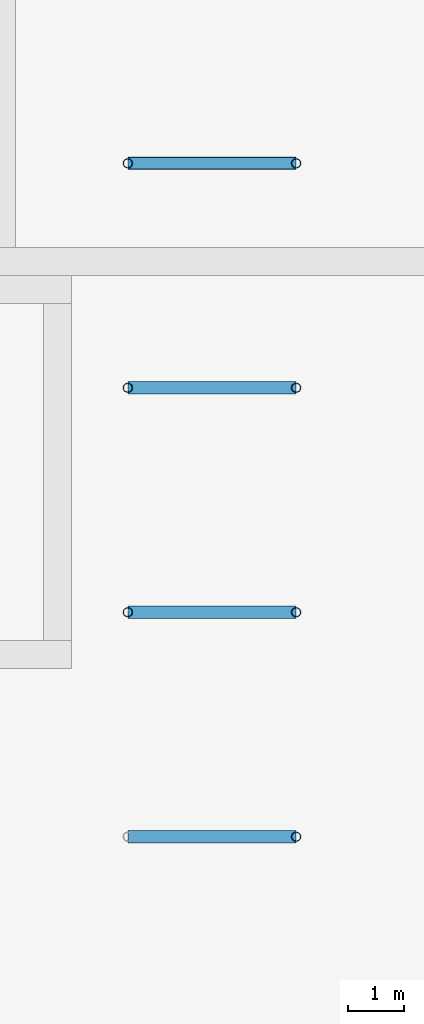
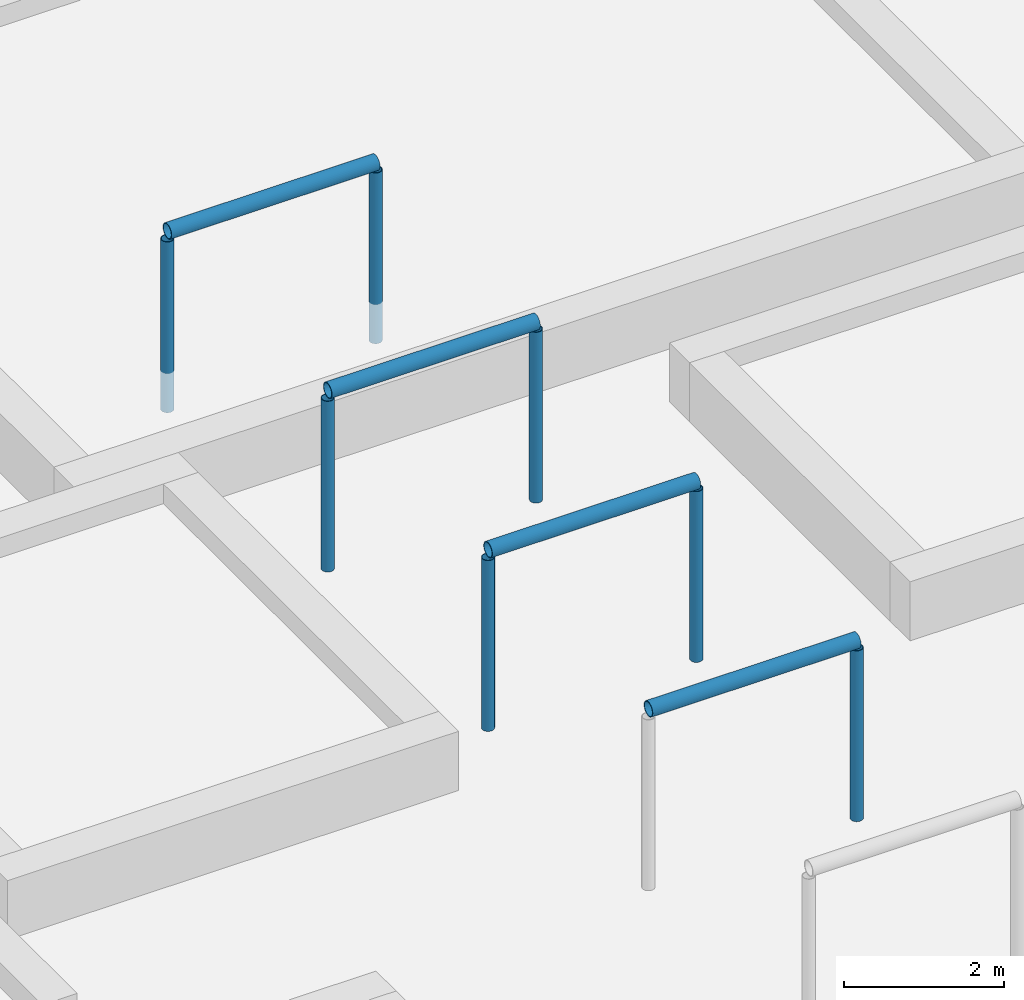
# One storey, part 9 of 34: 11 members.
"""IFC4 building model written with IfcOpenShell, lengths in metres."""

from ifc_helpers import new_model, si_unit, direction, frame, origin, origin_2d, place, context, subcontext, project, spatial, hollow_circle, extrude, material, material_profile, profile_set, type_object, element, save


model = new_model("IFC4")

# Units and contexts
model_context = context("Model", 3, precision=1e-05, world=origin(), true_north=direction((0.0, 1.0)))
body_context = subcontext(model_context, "Body", "Model", "MODEL_VIEW")
ifc_project = project(units=[si_unit("LENGTHUNIT", "METRE"), si_unit("AREAUNIT", "SQUARE_METRE"), si_unit("VOLUMEUNIT", "CUBIC_METRE"), si_unit("PLANEANGLEUNIT", "RADIAN"), si_unit("MASSUNIT", "GRAM", prefix="KILO")], contexts=[model_context])

# Site, building, storey
site_placement = place(None, origin())
site = spatial("IfcSite", under=ifc_project, at=site_placement, CompositionType="ELEMENT")
building_placement = place(site_placement, origin())
building = spatial("IfcBuilding", under=site, at=building_placement, Name="Amberfall Residences", CompositionType="ELEMENT")
storey_placement = place(building_placement, frame((0.0, 0.0, 5.5)))
storey = spatial("IfcBuildingStorey", under=building, at=storey_placement, Name="L01", CompositionType="ELEMENT", Elevation=5.5)

# Members
ifc_material = material(Name="Steel S355", Category="steel")
ifc_material_profile_1 = material_profile(ifc_material, hollow_circle(Radius=0.109619140625, WallThickness=0.010009765625, at=origin_2d()), Name="CHS 219.1x10")
ifc_profile_set_1 = profile_set([ifc_material_profile_1], Name="Steel S355")
member_type_1 = type_object("IfcMemberType", Name="Pergola beam CHS 219.1x10", PredefinedType="STRUT", material=ifc_profile_set_1)
for number, where, z_axis, x_axis, name in (
    (1, (116.5, 25.0, 2.70947265625), (1.0, 0.0, 0.0), (0.0, 1.0, 0.0), "Pergola beam A3"),
    (2, (116.5, 29.0, 2.70947265625), (1.0, 0.0, 0.0), (0.0, 1.0, 0.0), "Pergola beam A4"),
    (3, (116.5, 33.0, 2.70947265625), (1.0, 0.0, 0.0), (0.0, 1.0, 0.0), "Pergola beam A5"),
    (4, (116.5, 37.0, 2.70947265625), (1.0, 0.0, 0.0), (0.0, 1.0, 0.0), "Pergola beam A6"),
):
    element("IfcMember", number, at=place(storey_placement, frame(where, z_axis=z_axis, x_axis=x_axis)), inside=storey, type_object=member_type_1, Name=name, PredefinedType="STRUT", context=body_context, shape_type="SweptSolid", body=[
        extrude(hollow_circle(Radius=0.109619140625, WallThickness=0.010009765625, at=origin_2d()), origin(), (0.0, 0.0, 1.0), 3.0),
    ])
ifc_material_profile_2 = material_profile(ifc_material, hollow_circle(Radius=0.084228515625, WallThickness=0.008056640625, at=origin_2d()), Name="CHS 168.3x8")
ifc_profile_set_2 = profile_set([ifc_material_profile_2], Name="Steel S355")
member_type_2 = type_object("IfcMemberType", Name="Pergola post CHS 168.3x8", PredefinedType="POST", material=ifc_profile_set_2)
for number, where, z_axis, x_axis, name in (
    (5, (119.5, 25.0, 0.0), (0.0, 0.0, 1.0), (1.0, 0.0, 0.0), "Pergola post A3"),
    (6, (116.5, 29.0, 0.0), (0.0, 0.0, 1.0), (1.0, 0.0, 0.0), "Pergola post A4"),
    (7, (119.5, 29.0, 0.0), (0.0, 0.0, 1.0), (1.0, 0.0, 0.0), "Pergola post A4"),
    (8, (116.5, 33.0, 0.0), (0.0, 0.0, 1.0), (1.0, 0.0, 0.0), "Pergola post A5"),
    (9, (119.5, 33.0, 0.0), (0.0, 0.0, 1.0), (1.0, 0.0, 0.0), "Pergola post A5"),
    (10, (116.5, 37.0, 0.0), (0.0, 0.0, 1.0), (1.0, 0.0, 0.0), "Pergola post A6"),
    (11, (119.5, 37.0, 0.0), (0.0, 0.0, 1.0), (1.0, 0.0, 0.0), "Pergola post A6"),
):
    element("IfcMember", number, at=place(storey_placement, frame(where, z_axis=z_axis, x_axis=x_axis)), inside=storey, type_object=member_type_2, Name=name, PredefinedType="POST", context=body_context, shape_type="SweptSolid", body=[
        extrude(hollow_circle(Radius=0.084228515625, WallThickness=0.008056640625, at=origin_2d()), origin(), (0.0, 0.0, 1.0), 2.60009765625),
    ])

save(model, "model.ifc")
